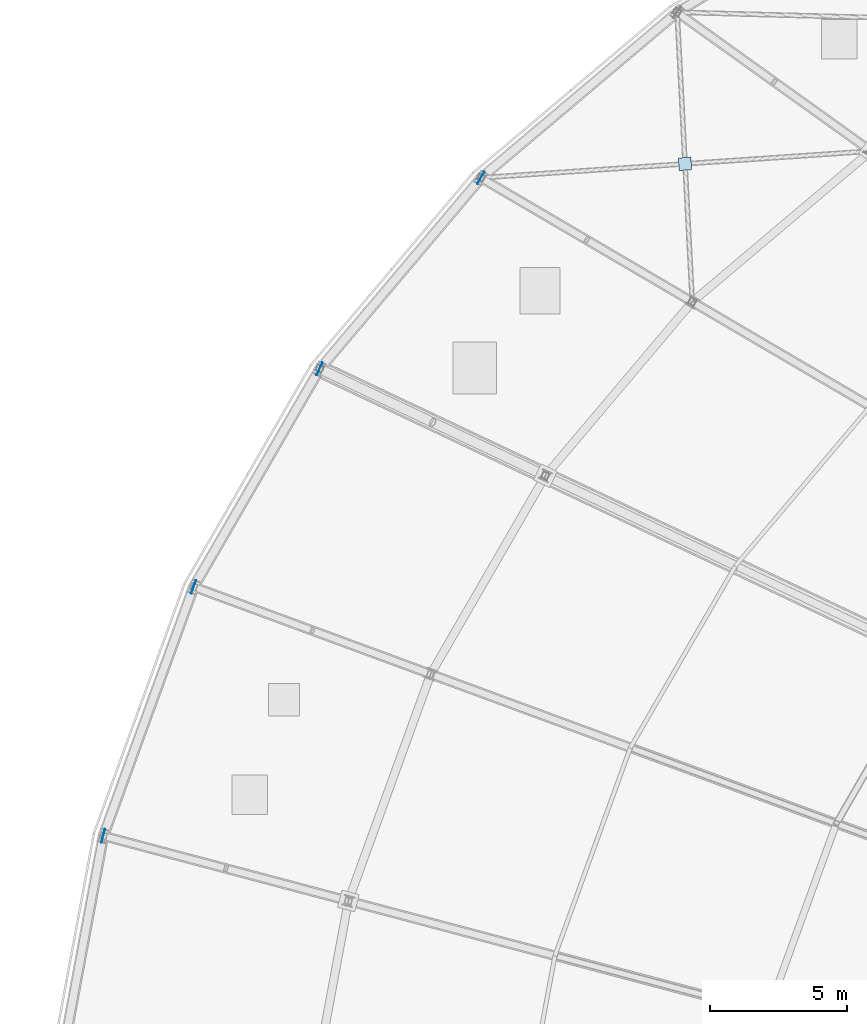
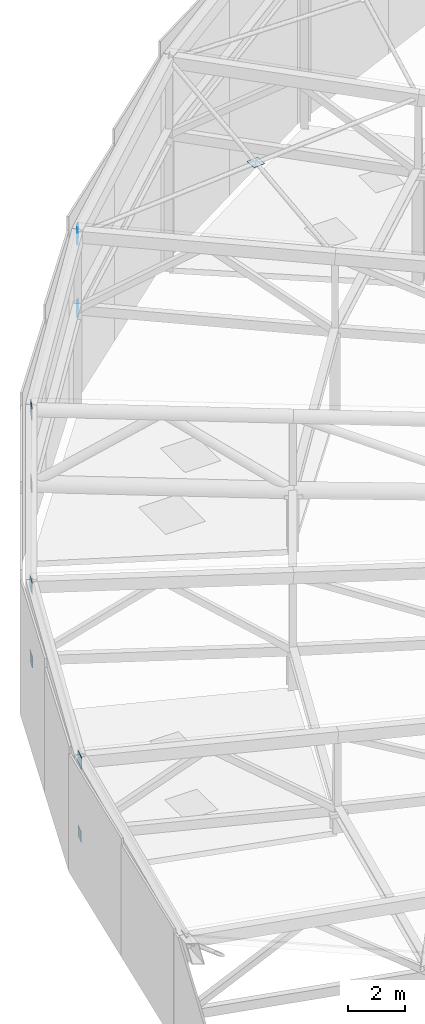
# One storey, part 117 of 143: 9 plates.
"""IFC4 building model written with IfcOpenShell, lengths in metres."""

import ifcopenshell
import ifcopenshell.guid

model = None  # the IFC model being written
_history = None  # IfcOwnerHistory: only IFC2X3 demands one
_inside = {}  # id of a spatial element -> (the spatial element, [elements in it])
_under = {}  # id of a project, library or spatial element -> (it, [spatial elements below it])
_declared = {}  # id of a project -> (the project, [libraries it declares])
_typed = {}  # id of a type object -> (the type object, [elements of that type])
_made_of = {}  # id of a material, layer set ... -> (it, [elements and type objects made of it])


def new_model(schema):
    """Start an empty IFC model of exactly this schema.

    Asked for "IFC4X3", IfcOpenShell would pick the latest addendum, in which some entities
    have other attributes; the version numbers below select the first issue.
    IFC2X3 requires an IfcOwnerHistory on every rooted entity: one is made here for all.
    """
    global model, _history
    if schema == "IFC4X3":
        model = ifcopenshell.file(schema_version=(4, 3, 0, 0))
    else:
        model = ifcopenshell.file(schema=schema)
    _inside.clear()
    _under.clear()
    _declared.clear()
    _typed.clear()
    _made_of.clear()
    _history = None
    if model.schema == "IFC2X3":
        org = make("IfcOrganization", Name="unknown")
        user = make(
            "IfcPersonAndOrganization",
            ThePerson=make("IfcPerson", FamilyName="unknown"),
            TheOrganization=org,
        )
        app = make(
            "IfcApplication",
            ApplicationDeveloper=org,
            Version="unknown",
            ApplicationFullName="unknown",
            ApplicationIdentifier="unknown",
        )
        _history = make(
            "IfcOwnerHistory",
            OwningUser=user,
            OwningApplication=app,
            ChangeAction="ADDED",
            CreationDate=0,
        )
    return model


def make(cls, **values):
    """One entity of the class cls with the attributes given. An attribute that is None is left unset."""
    return model.create_entity(
        cls, **{name: value for name, value in values.items() if value is not None}
    )


def rooted(cls, **values):
    """An entity with a GlobalId (a new one), such as an element, a storey or a relation."""
    return make(cls, GlobalId=ifcopenshell.guid.new(), OwnerHistory=_history, **values)


def si_unit(unit_type, name, prefix=None):
    """IfcSIUnit, for example si_unit("LENGTHUNIT", "METRE", prefix="MILLI")."""
    return make("IfcSIUnit", UnitType=unit_type, Prefix=prefix, Name=name)


def assignment(units):
    """IfcUnitAssignment: the units of a project."""
    return None if units is None else make("IfcUnitAssignment", Units=units)


def point(xyz):
    """IfcCartesianPoint."""
    return None if xyz is None else make("IfcCartesianPoint", Coordinates=xyz)


def direction(xyz):
    """IfcDirection."""
    return None if xyz is None else make("IfcDirection", DirectionRatios=xyz)


def frame(location, z_axis=None, x_axis=None):
    """IfcAxis2Placement3D, a coordinate frame: its origin and axes. An axis left out is left unset."""
    return make(
        "IfcAxis2Placement3D",
        Location=point(location),
        Axis=direction(z_axis),
        RefDirection=direction(x_axis),
    )


def frame_2d(location, x_axis=None):
    """IfcAxis2Placement2D, a coordinate frame in the plane: its origin and x axis."""
    return make(
        "IfcAxis2Placement2D", Location=point(location), RefDirection=direction(x_axis)
    )


def origin():
    """The frame at (0, 0, 0) with its axes left unset."""
    return frame((0.0, 0.0, 0.0))


def origin_2d():
    """The frame at (0, 0) in the plane with its x axis left unset."""
    return frame_2d((0.0, 0.0))


def place(relative_to, where):
    """IfcLocalPlacement: puts the frame where relative to a parent placement (None: the world)."""
    return make(
        "IfcLocalPlacement", PlacementRelTo=relative_to, RelativePlacement=where
    )


def context(
    kind, dimensions, precision=None, world=None, true_north=None, identifier=None
):
    """IfcGeometricRepresentationContext, for example the 3D "Model" context."""
    return make(
        "IfcGeometricRepresentationContext",
        ContextIdentifier=identifier,
        ContextType=kind,
        CoordinateSpaceDimension=dimensions,
        Precision=precision,
        WorldCoordinateSystem=world,
        TrueNorth=true_north,
    )


def subcontext(parent, identifier, kind, view, scale=None):
    """IfcGeometricRepresentationSubContext, for example "Body" below "Model"."""
    return make(
        "IfcGeometricRepresentationSubContext",
        ContextIdentifier=identifier,
        ContextType=kind,
        ParentContext=parent,
        TargetScale=scale,
        TargetView=view,
    )


def project(units=None, contexts=None):
    """IfcProject with its units and contexts."""
    return rooted(
        "IfcProject",
        Name="project",
        RepresentationContexts=contexts,
        UnitsInContext=assignment(units),
    )


def spatial(cls, under=None, at=None, **own):
    """A site, building, storey or space (cls), placed at a placement, below another one or the project."""
    s = rooted(cls, ObjectPlacement=at, **own)
    if under is not None:
        _under.setdefault(under.id(), (under, []))[1].append(s)
    return s


def profile(cls, at=None, kind="AREA", **sizes):
    """A parametric profile (cls). Its sizes go by their IFC names, for example OverallWidth=200.0."""
    return make(cls, ProfileType=kind, Position=at, **sizes)


def rectangle(**sizes):
    """IfcRectangleProfileDef."""
    return profile("IfcRectangleProfileDef", **sizes)


def extrude(swept, where, along, depth):
    """IfcExtrudedAreaSolid: the profile swept, set in the frame where, extruded along a direction by depth."""
    return make(
        "IfcExtrudedAreaSolid",
        SweptArea=swept,
        Position=where,
        ExtrudedDirection=direction(along),
        Depth=depth,
    )


def shape(context_of_items, identifier, shape_type, items):
    """IfcShapeRepresentation: the items that make up one representation, for example the "Body"."""
    return make(
        "IfcShapeRepresentation",
        ContextOfItems=context_of_items,
        RepresentationIdentifier=identifier,
        RepresentationType=shape_type,
        Items=items,
    )


def material(Name=None, Category=None):
    """IfcMaterial."""
    return make("IfcMaterial", Name=Name, Category=Category)


def layer(
    of_material, thickness, ventilated=None, Name=None, Category=None, Priority=None
):
    """IfcMaterialLayer: one layer of a wall or slab, of a material (None: an air gap)."""
    return make(
        "IfcMaterialLayer",
        Material=of_material,
        LayerThickness=thickness,
        IsVentilated=ventilated,
        Name=Name,
        Category=Category,
        Priority=Priority,
    )


def layer_set(layers, Name=None):
    """IfcMaterialLayerSet."""
    return make("IfcMaterialLayerSet", MaterialLayers=layers, LayerSetName=Name)


def made_of(thing, what):
    """Note that an element or type object is made of a material, layer set ...; save() writes the relation."""
    if what is not None:
        _made_of.setdefault(what.id(), (what, []))[1].append(thing)
    return thing


def type_object(cls, material=None, **own):
    """A type object (cls), such as IfcWallType, which elements share."""
    return made_of(rooted(cls, **own), material)


def element(
    cls,
    number,
    at=None,
    inside=None,
    cuts=None,
    type_object=None,
    material=None,
    context=None,
    identifier="Body",
    shape_type=None,
    held_by="IfcProductDefinitionShape",
    body=None,
    shapes=None,
    **own,
):
    """One element of the class cls, such as IfcWall. Its Tag is "e" and its number.

    at: its placement. inside: the storey or other place that contains it. cuts: it is an
    opening in that element (IfcRelVoidsElement). A single representation is given by context,
    identifier, shape_type and body (its items); several are given by shapes. held_by: the class
    of the entity that holds the representations. save() writes the other relations.
    """
    e = rooted(cls, Tag="e%d" % number, ObjectPlacement=at, **own)
    if body is not None:
        shapes = [shape(context, identifier, shape_type, body)]
    if shapes is not None:
        e.Representation = make(held_by, Representations=shapes)
    if inside is not None:
        _inside.setdefault(inside.id(), (inside, []))[1].append(e)
    if cuts is not None:
        rooted(
            "IfcRelVoidsElement", RelatingBuildingElement=cuts, RelatedOpeningElement=e
        )
    if type_object is not None:
        _typed.setdefault(type_object.id(), (type_object, []))[1].append(e)
    return made_of(e, material)


def aggregate(whole, parts):
    """IfcRelAggregates: a whole, such as a stair, and the parts it consists of."""
    return rooted("IfcRelAggregates", RelatingObject=whole, RelatedObjects=parts)


def save(model, path):
    """Write the relations noted so far, then the file.

    IfcRelAggregates (storeys below a building ...), IfcRelContainedInSpatialStructure (elements
    in a storey), IfcRelDefinesByType, IfcRelAssociatesMaterial and IfcRelDeclares: one each for
    every whole, place, type object, material and project.
    """
    for whole, parts in _under.values():
        aggregate(whole, parts)
    for where, things in _inside.values():
        rooted(
            "IfcRelContainedInSpatialStructure",
            RelatedElements=things,
            RelatingStructure=where,
        )
    for kind, things in _typed.values():
        rooted("IfcRelDefinesByType", RelatedObjects=things, RelatingType=kind)
    for what, things in _made_of.values():
        rooted("IfcRelAssociatesMaterial", RelatedObjects=things, RelatingMaterial=what)
    for by, libraries in _declared.values():
        rooted("IfcRelDeclares", RelatingContext=by, RelatedDefinitions=libraries)
    model.write(path)


model = new_model("IFC4")

# Units and contexts
model_context = context("Model", 3, precision=1e-05, world=origin(), true_north=direction((0.0, 1.0)))
body_context = subcontext(model_context, "Body", "Model", "MODEL_VIEW")
ifc_project = project(units=[si_unit("LENGTHUNIT", "METRE"), si_unit("AREAUNIT", "SQUARE_METRE"), si_unit("VOLUMEUNIT", "CUBIC_METRE"), si_unit("PLANEANGLEUNIT", "RADIAN"), si_unit("MASSUNIT", "GRAM", prefix="KILO")], contexts=[model_context])

# Site, building, storey
site_placement = place(None, origin())
site = spatial("IfcSite", under=ifc_project, at=site_placement, CompositionType="ELEMENT")
building_placement = place(site_placement, origin())
building = spatial("IfcBuilding", under=site, at=building_placement, Name="Mphavela Belvedere Stadium", CompositionType="ELEMENT")
storey_placement = place(building_placement, frame((0.0, 0.0, 28.800048828125)))
storey = spatial("IfcBuildingStorey", under=building, at=storey_placement, Name="RF", CompositionType="ELEMENT", Elevation=28.800048828125)

# Plates
ifc_material_1 = material(Name="Steel S355", Category="steel")
ifc_layer_1 = layer(ifc_material_1, 0.01806640625)
ifc_layer_set_1 = layer_set([ifc_layer_1], Name="Steel S355")
plate_type_1 = type_object("IfcPlateType", Name="PLT-CAP-TRUSS-BC", PredefinedType="USERDEFINED", material=ifc_layer_set_1)
plate_placement = place(storey_placement, frame((36.135009765625, 138.16552734375, 7.7314453125), z_axis=(0.0, 0.0, 1.0), x_axis=(-0.997660476238, -0.068363544026, 0.0)))
element("IfcPlate", 1, at=plate_placement, inside=storey, type_object=plate_type_1, Name="Roof X-brace crossing gusset node plate 19", ObjectType="GUSSET_PLATE", PredefinedType="USERDEFINED", context=body_context, shape_type="SweptSolid", body=[
    extrude(rectangle(XDim=0.4599609375, YDim=0.4599609375, at=origin_2d()), origin(), (0.0, 0.0, 1.0), 0.01806640625),
])
for number, where, z_axis, x_axis, name in (
    (2, (28.66162109375, 137.653564453125, 4.23876953125), (0.0, 0.0, 1.0), (-0.862513669207, 0.506033764121, 0.0), "Roof truss RT-20 hollow-end cap plate out_bc"),
    (3, (22.757568359375, 130.66162109375, 3.0810546875), (0.0, 0.0, 1.0), (-0.903858661687, 0.4278311813, 0.0), "Roof truss RT-21 hollow-end cap plate out_bc"),
    (4, (18.143798828125, 122.682373046875, 2.0869140625), (0.0, 0.0, 1.0), (-0.938372433776, 0.34562577382, 0.0), "Roof truss RT-22 hollow-end cap plate out_bc"),
    (5, (14.83544921875, 113.5625, 1.323974609375), (0.0, 0.0, 1.0), (-0.966600102017, 0.256289373133, 0.0), "Roof truss RT-23 hollow-end cap plate out_bc"),
):
    element("IfcPlate", number, at=place(storey_placement, frame(where, z_axis=z_axis, x_axis=x_axis)), inside=storey, type_object=plate_type_1, Name=name, ObjectType="GUSSET_PLATE", PredefinedType="USERDEFINED", context=body_context, shape_type="SweptSolid", body=[
        extrude(rectangle(XDim=0.01806640625, YDim=0.4599609375, at=origin_2d()), origin(), (0.0, 0.0, 1.0), 0.4599609375),
    ])
ifc_material_2 = material(Name="Steel S355", Category="steel")
ifc_layer_2 = layer(ifc_material_2, 0.02001953125)
ifc_layer_set_2 = layer_set([ifc_layer_2], Name="Steel S355")
plate_type_2 = type_object("IfcPlateType", Name="PLT-CAP-TRUSS-TC", PredefinedType="USERDEFINED", material=ifc_layer_set_2)
for number, where, z_axis, x_axis, name in (
    (6, (28.66162109375, 137.653564453125, 7.358642578125), (0.0, 0.0, 1.0), (-0.862513669207, 0.506033764121, 0.0), "Roof truss RT-20 hollow-end cap plate out_tc"),
    (7, (22.757568359375, 130.66162109375, 6.200927734375), (0.0, 0.0, 1.0), (-0.903858661687, 0.4278311813, 0.0), "Roof truss RT-21 hollow-end cap plate out_tc"),
    (8, (18.143798828125, 122.682373046875, 5.206787109375), (0.0, 0.0, 1.0), (-0.938372433776, 0.34562577382, 0.0), "Roof truss RT-22 hollow-end cap plate out_tc"),
    (9, (14.83544921875, 113.5625, 4.444091796875), (0.0, 0.0, 1.0), (-0.966600102017, 0.256289373133, 0.0), "Roof truss RT-23 hollow-end cap plate out_tc"),
):
    element("IfcPlate", number, at=place(storey_placement, frame(where, z_axis=z_axis, x_axis=x_axis)), inside=storey, type_object=plate_type_2, Name=name, ObjectType="GUSSET_PLATE", PredefinedType="USERDEFINED", context=body_context, shape_type="SweptSolid", body=[
        extrude(rectangle(XDim=0.02001953125, YDim=0.52001953125, at=origin_2d()), origin(), (0.0, 0.0, 1.0), 0.52001953125),
    ])

save(model, "model.ifc")
